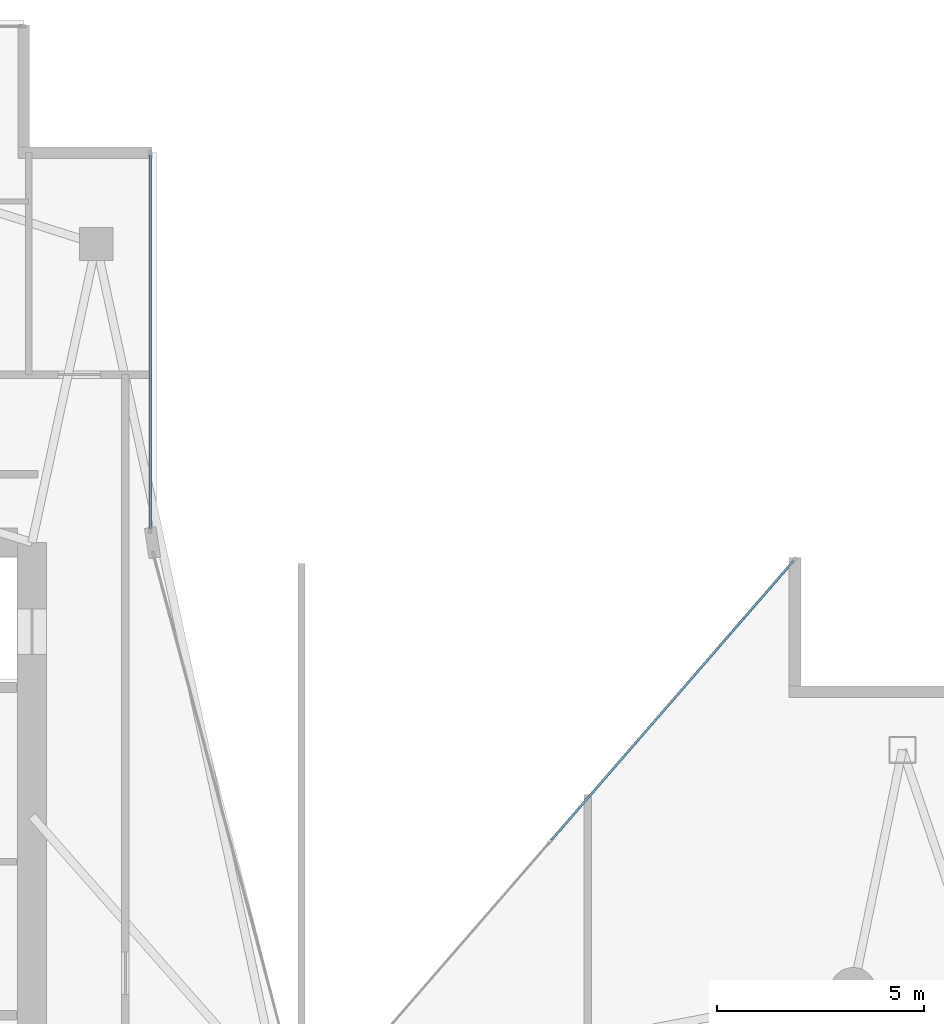
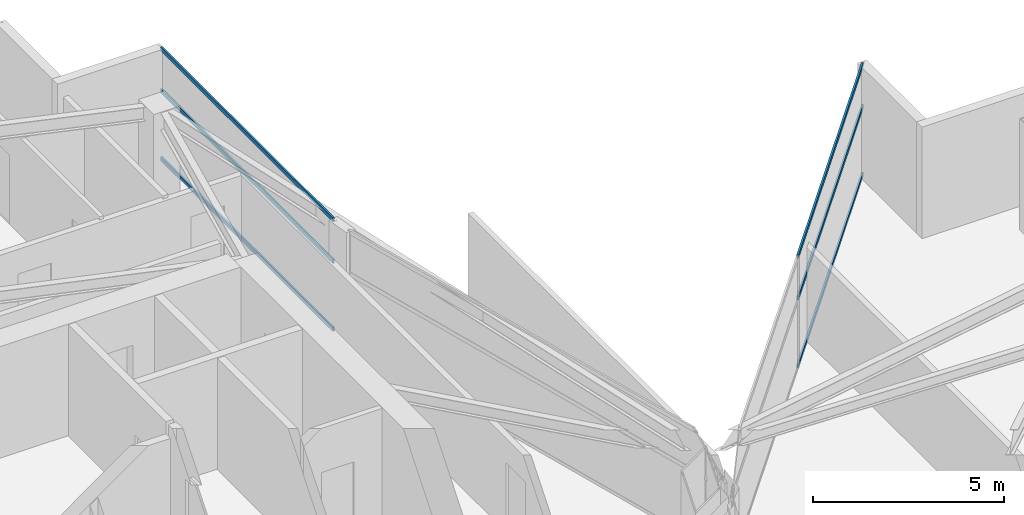
# One storey, part 20 of 29: 6 members, 2 elements without a shape of their own.
"""IFC4 building model written with IfcOpenShell, lengths in metres."""

from ifc_helpers import new_model, si_unit, direction, frame, origin, origin_2d, place, context, subcontext, project, spatial, hollow_rectangle, extrude, material, layer, layer_set, material_profile, profile_set, type_object, element, aggregate, save


model = new_model("IFC4")

# Units and contexts
model_context = context("Model", 3, precision=1e-05, world=origin(), true_north=direction((0.0, 1.0)))
body_context = subcontext(model_context, "Body", "Model", "MODEL_VIEW")
ifc_project = project(units=[si_unit("LENGTHUNIT", "METRE"), si_unit("AREAUNIT", "SQUARE_METRE"), si_unit("VOLUMEUNIT", "CUBIC_METRE"), si_unit("PLANEANGLEUNIT", "RADIAN"), si_unit("MASSUNIT", "GRAM", prefix="KILO")], contexts=[model_context])

# Site, building, storey
site_placement = place(None, origin())
site = spatial("IfcSite", under=ifc_project, at=site_placement, CompositionType="ELEMENT")
building_placement = place(site_placement, origin())
building = spatial("IfcBuilding", under=site, at=building_placement, Name="Calvorn Quay Hotel", CompositionType="ELEMENT")
storey_placement = place(building_placement, frame((0.0, 0.0, 247.60009765625)))
storey = spatial("IfcBuildingStorey", under=building, at=storey_placement, Name="L61", CompositionType="ELEMENT", Elevation=247.60009765625)

# Curtain wall, members
ifc_material_1 = material(Name="Champagne Bronze Anodised Aluminium and Low-E Glass", Category="aluminium")
ifc_layer = layer(ifc_material_1, 0.219970703125)
ifc_layer_set = layer_set([ifc_layer], Name="CW-SYS-Z4")
curtain_wall_type = type_object("IfcCurtainWallType", Name="CW-SYS-Z4", PredefinedType="NOTDEFINED", material=ifc_layer_set)
curtain_wall_1_placement = place(storey_placement, origin())
curtain_wall_1 = element("IfcCurtainWall", 1, at=curtain_wall_1_placement, inside=storey, type_object=curtain_wall_type, Name="Inner Court Curtain Wall L61-NE1", PredefinedType="NOTDEFINED")
ifc_material_2 = material(Name="Champagne Bronze Anodised Aluminium 6063-T6", Category="aluminium")
ifc_material_profile = material_profile(ifc_material_2, hollow_rectangle(XDim=0.054931640625, YDim=0.1298828125, WallThickness=0.003173828125, at=origin_2d()), Name="ALU-T130x55x3.2")
ifc_profile_set = profile_set([ifc_material_profile], Name="Champagne Bronze Anodised Aluminium 6063-T6")
member_type = type_object("IfcMemberType", Name="CW-SYS-Z4-TRN", PredefinedType="USERDEFINED", material=ifc_profile_set)
member_1_placement = place(storey_placement, frame((33.360595703125, 37.95458984375, 0.02978515625), z_axis=(-0.65534550322, -0.755329247024, 0.0), x_axis=(0.755329247024, -0.65534550322, 0.0)))
member_1 = element("IfcMember", 2, at=member_1_placement, type_object=member_type, Name="CW-L61-NE1 transom 1.1", ObjectType="TRANSOM", PredefinedType="USERDEFINED", context=body_context, shape_type="SweptSolid", body=[
    extrude(hollow_rectangle(XDim=0.054931640625, YDim=0.1298828125, WallThickness=0.003173828125, at=origin_2d()), origin(), (0.0, 0.0, 1.0), 8.91259765625),
])
member_2_placement = place(storey_placement, frame((33.360595703125, 37.95458984375, 2.199951171875), z_axis=(-0.65534550322, -0.755329247024, 0.0), x_axis=(0.755329247024, -0.65534550322, 0.0)))
member_2 = element("IfcMember", 3, at=member_2_placement, type_object=member_type, Name="CW-L61-NE1 transom 1.2", ObjectType="TRANSOM", PredefinedType="USERDEFINED", context=body_context, shape_type="SweptSolid", body=[
    extrude(hollow_rectangle(XDim=0.054931640625, YDim=0.1298828125, WallThickness=0.003173828125, at=origin_2d()), origin(), (0.0, 0.0, 1.0), 8.91259765625),
])
member_3_placement = place(storey_placement, frame((33.360595703125, 37.95458984375, 3.52978515625), z_axis=(-0.65534550322, -0.755329247024, 0.0), x_axis=(0.755329247024, -0.65534550322, 0.0)))
member_3 = element("IfcMember", 4, at=member_3_placement, type_object=member_type, Name="CW-L61-NE1 transom 1.3", ObjectType="TRANSOM", PredefinedType="USERDEFINED", context=body_context, shape_type="SweptSolid", body=[
    extrude(hollow_rectangle(XDim=0.054931640625, YDim=0.1298828125, WallThickness=0.003173828125, at=origin_2d()), origin(), (0.0, 0.0, 1.0), 8.91259765625),
])
aggregate(curtain_wall_1, [member_1, member_2, member_3])

curtain_wall_2_placement = place(storey_placement, origin())
curtain_wall_2 = element("IfcCurtainWall", 5, at=curtain_wall_2_placement, inside=storey, type_object=curtain_wall_type, Name="Inner Court Curtain Wall L61-IC2", PredefinedType="NOTDEFINED")
member_4_placement = place(storey_placement, frame((17.85009765625, 38.739990234375, 0.02978515625), z_axis=(0.0, 1.0, 0.0), x_axis=(-1.0, 0.0, 0.0)))
member_4 = element("IfcMember", 6, at=member_4_placement, type_object=member_type, Name="CW-L61-IC2 transom 1.1", ObjectType="TRANSOM", PredefinedType="USERDEFINED", context=body_context, shape_type="SweptSolid", body=[
    extrude(hollow_rectangle(XDim=0.054931640625, YDim=0.1298828125, WallThickness=0.003173828125, at=origin_2d()), origin(), (0.0, 0.0, 1.0), 9.0),
])
member_5_placement = place(storey_placement, frame((17.85009765625, 38.739990234375, 2.199951171875), z_axis=(0.0, 1.0, 0.0), x_axis=(-1.0, 0.0, 0.0)))
member_5 = element("IfcMember", 7, at=member_5_placement, type_object=member_type, Name="CW-L61-IC2 transom 1.2", ObjectType="TRANSOM", PredefinedType="USERDEFINED", context=body_context, shape_type="SweptSolid", body=[
    extrude(hollow_rectangle(XDim=0.054931640625, YDim=0.1298828125, WallThickness=0.003173828125, at=origin_2d()), origin(), (0.0, 0.0, 1.0), 9.0),
])
member_6_placement = place(storey_placement, frame((17.85009765625, 38.739990234375, 3.52978515625), z_axis=(0.0, 1.0, 0.0), x_axis=(-1.0, 0.0, 0.0)))
member_6 = element("IfcMember", 8, at=member_6_placement, type_object=member_type, Name="CW-L61-IC2 transom 1.3", ObjectType="TRANSOM", PredefinedType="USERDEFINED", context=body_context, shape_type="SweptSolid", body=[
    extrude(hollow_rectangle(XDim=0.054931640625, YDim=0.1298828125, WallThickness=0.003173828125, at=origin_2d()), origin(), (0.0, 0.0, 1.0), 9.0),
])
aggregate(curtain_wall_2, [member_4, member_5, member_6])

save(model, "model.ifc")
